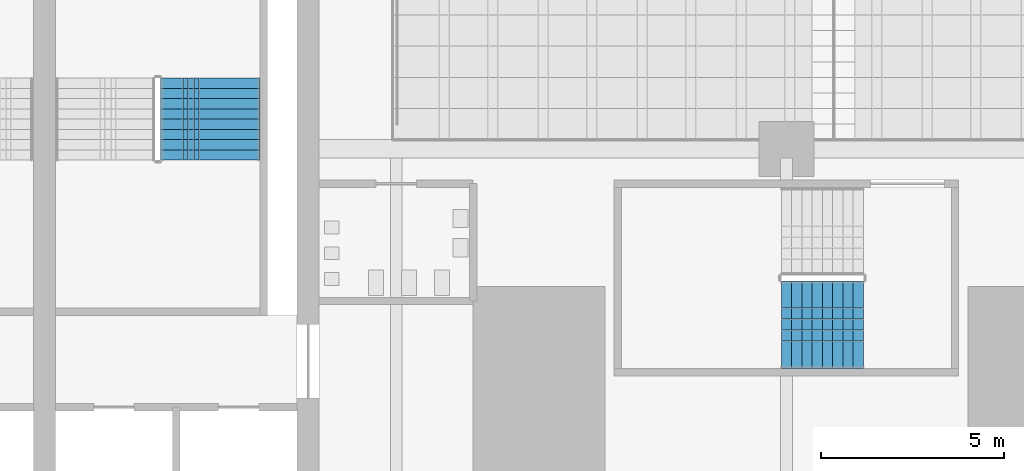
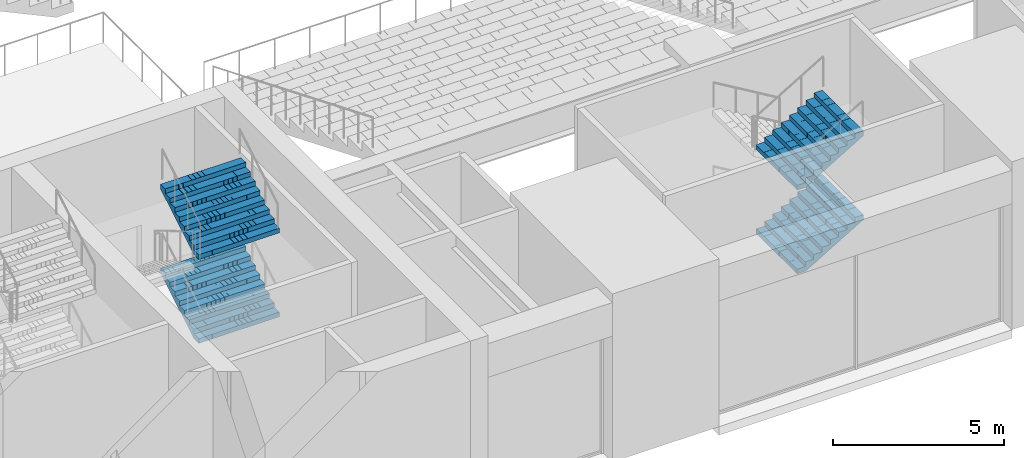
# One storey, part 36 of 61: 4 stair flights, 2 elements without a shape of their own.
"""IFC4 building model written with IfcOpenShell, lengths in metres."""

from ifc_helpers import new_model, si_unit, direction, frame, origin, place, context, subcontext, project, spatial, polyline, outline, extrude, material, type_object, element, aggregate, save


model = new_model("IFC4")

# Units and contexts
model_context = context("Model", 3, precision=1e-05, world=origin(), true_north=direction((0.0, 1.0)))
body_context = subcontext(model_context, "Body", "Model", "MODEL_VIEW")
ifc_project = project(units=[si_unit("LENGTHUNIT", "METRE"), si_unit("AREAUNIT", "SQUARE_METRE"), si_unit("VOLUMEUNIT", "CUBIC_METRE"), si_unit("PLANEANGLEUNIT", "RADIAN"), si_unit("MASSUNIT", "GRAM", prefix="KILO")], contexts=[model_context])

# Site, building, storey
site_placement = place(None, origin())
site = spatial("IfcSite", under=ifc_project, at=site_placement, CompositionType="ELEMENT")
building_placement = place(site_placement, origin())
building = spatial("IfcBuilding", under=site, at=building_placement, Name="Corbelhall Arena Tower", CompositionType="ELEMENT")
storey_placement = place(building_placement, frame((0.0, 0.0, 31.0)))
storey = spatial("IfcBuildingStorey", under=building, at=storey_placement, Name="L04", CompositionType="ELEMENT", Elevation=31.0)

# Stair, stair flights
ifc_material = material(Name="Reinforced concrete C40/50", Category="concrete")
stair_type = type_object("IfcStairType", Name="AR-EXIT-STAIR", PredefinedType="HALF_TURN_STAIR", material=ifc_material)
stair_1_placement = place(storey_placement, origin())
stair_1 = element("IfcStair", 1, at=stair_1_placement, inside=storey, type_object=stair_type, Name="L04 exit stair AS13", PredefinedType="HALF_TURN_STAIR")
stair_flight_type = type_object("IfcStairFlightType", Name="AR-EXIT-FLIGHT", PredefinedType="STRAIGHT", material=ifc_material)
stair_flight_1_placement = place(storey_placement, frame((-20.389892578125, -34.050048828125, 1.5), z_axis=(0.0, 0.0, 1.0), x_axis=(1.0, 0.0, 0.0)))
stair_flight_1 = element("IfcStairFlight", 2, at=stair_flight_1_placement, type_object=stair_flight_type, Name="AS13 flight 2", NumberOfRisers=9, NumberOfTreads=8, PredefinedType="STRAIGHT", RiserHeight=0.166666667, TreadLength=0.28, context=body_context, shape_type="SweptSolid", body=[
    extrude(outline(polyline([(0.0, 0.0), (0.0, 0.166748046875), (0.280029296875, 0.166748046875), (0.280029296875, 0.333251953125), (0.56005859375, 0.333251953125), (0.56005859375, 0.5), (0.840087890625, 0.5), (0.840087890625, 0.666748046875), (1.1201171875, 0.666748046875), (1.1201171875, 0.833251953125), (1.39990234375, 0.833251953125), (1.39990234375, 1.0), (1.679931640625, 1.0), (1.679931640625, 1.166748046875), (1.9599609375, 1.166748046875), (1.9599609375, 1.333251953125), (2.239990234375, 1.333251953125), (2.239990234375, 1.5), (2.239990234375, 1.158935546875), (0.29296875, 0.0), (0.0, 0.0)])), frame((0.0, 1.199951171875, 0.0), z_axis=(0.0, -1.0, 0.0), x_axis=(1.0, 0.0, 0.0)), (0.0, 0.0, 1.0), 0.449951171875),
    extrude(outline(polyline([(0.0, 0.0), (0.0, 0.166748046875), (0.280029296875, 0.166748046875), (0.280029296875, 0.333251953125), (0.56005859375, 0.333251953125), (0.56005859375, 0.5), (0.840087890625, 0.5), (0.840087890625, 0.666748046875), (1.1201171875, 0.666748046875), (1.1201171875, 0.833251953125), (1.39990234375, 0.833251953125), (1.39990234375, 1.0), (1.679931640625, 1.0), (1.679931640625, 1.166748046875), (1.9599609375, 1.166748046875), (1.9599609375, 1.333251953125), (2.239990234375, 1.333251953125), (2.239990234375, 1.5), (2.239990234375, 1.158935546875), (0.29296875, 0.0), (0.0, 0.0)])), frame((0.0, 0.745849609375, 0.0), z_axis=(0.0, -1.0, 0.0), x_axis=(1.0, 0.0, 0.0)), (0.0, 0.0, 1.0), 0.295166015625),
    extrude(outline(polyline([(0.0, 0.0), (0.0, 0.166748046875), (0.280029296875, 0.166748046875), (0.280029296875, 0.333251953125), (0.56005859375, 0.333251953125), (0.56005859375, 0.5), (0.840087890625, 0.5), (0.840087890625, 0.666748046875), (1.1201171875, 0.666748046875), (1.1201171875, 0.833251953125), (1.39990234375, 0.833251953125), (1.39990234375, 1.0), (1.679931640625, 1.0), (1.679931640625, 1.166748046875), (1.9599609375, 1.166748046875), (1.9599609375, 1.333251953125), (2.239990234375, 1.333251953125), (2.239990234375, 1.5), (2.239990234375, 1.158935546875), (0.29296875, 0.0), (0.0, 0.0)])), frame((0.0, 0.44677734375, 0.0), z_axis=(0.0, -1.0, 0.0), x_axis=(1.0, 0.0, 0.0)), (0.0, 0.0, 1.0), 0.295166015625),
    extrude(outline(polyline([(0.0, 0.0), (0.0, 0.166748046875), (0.280029296875, 0.166748046875), (0.280029296875, 0.333251953125), (0.56005859375, 0.333251953125), (0.56005859375, 0.5), (0.840087890625, 0.5), (0.840087890625, 0.666748046875), (1.1201171875, 0.666748046875), (1.1201171875, 0.833251953125), (1.39990234375, 0.833251953125), (1.39990234375, 1.0), (1.679931640625, 1.0), (1.679931640625, 1.166748046875), (1.9599609375, 1.166748046875), (1.9599609375, 1.333251953125), (2.239990234375, 1.333251953125), (2.239990234375, 1.5), (2.239990234375, 1.158935546875), (0.29296875, 0.0), (0.0, 0.0)])), frame((0.0, 0.147705078125, 0.0), z_axis=(0.0, -1.0, 0.0), x_axis=(1.0, 0.0, 0.0)), (0.0, 0.0, 1.0), 0.295166015625),
    extrude(outline(polyline([(0.0, 0.0), (0.0, 0.166748046875), (0.280029296875, 0.166748046875), (0.280029296875, 0.333251953125), (0.56005859375, 0.333251953125), (0.56005859375, 0.5), (0.840087890625, 0.5), (0.840087890625, 0.666748046875), (1.1201171875, 0.666748046875), (1.1201171875, 0.833251953125), (1.39990234375, 0.833251953125), (1.39990234375, 1.0), (1.679931640625, 1.0), (1.679931640625, 1.166748046875), (1.9599609375, 1.166748046875), (1.9599609375, 1.333251953125), (2.239990234375, 1.333251953125), (2.239990234375, 1.5), (2.239990234375, 1.158935546875), (0.29296875, 0.0), (0.0, 0.0)])), frame((0.0, -0.151611328125, 0.0), z_axis=(0.0, -1.0, 0.0), x_axis=(1.0, 0.0, 0.0)), (0.0, 0.0, 1.0), 0.295166015625),
    extrude(outline(polyline([(0.0, 0.0), (0.0, 0.166748046875), (0.280029296875, 0.166748046875), (0.280029296875, 0.333251953125), (0.56005859375, 0.333251953125), (0.56005859375, 0.5), (0.840087890625, 0.5), (0.840087890625, 0.666748046875), (1.1201171875, 0.666748046875), (1.1201171875, 0.833251953125), (1.39990234375, 0.833251953125), (1.39990234375, 1.0), (1.679931640625, 1.0), (1.679931640625, 1.166748046875), (1.9599609375, 1.166748046875), (1.9599609375, 1.333251953125), (2.239990234375, 1.333251953125), (2.239990234375, 1.5), (2.239990234375, 1.158935546875), (0.29296875, 0.0), (0.0, 0.0)])), frame((0.0, -0.45068359375, 0.0), z_axis=(0.0, -1.0, 0.0), x_axis=(1.0, 0.0, 0.0)), (0.0, 0.0, 1.0), 0.295166015625),
    extrude(outline(polyline([(0.0, 0.0), (0.0, 0.166748046875), (0.280029296875, 0.166748046875), (0.280029296875, 0.333251953125), (0.56005859375, 0.333251953125), (0.56005859375, 0.5), (0.840087890625, 0.5), (0.840087890625, 0.666748046875), (1.1201171875, 0.666748046875), (1.1201171875, 0.833251953125), (1.39990234375, 0.833251953125), (1.39990234375, 1.0), (1.679931640625, 1.0), (1.679931640625, 1.166748046875), (1.9599609375, 1.166748046875), (1.9599609375, 1.333251953125), (2.239990234375, 1.333251953125), (2.239990234375, 1.5), (2.239990234375, 1.158935546875), (0.29296875, 0.0), (0.0, 0.0)])), frame((0.0, -0.75, 0.0), z_axis=(0.0, -1.0, 0.0), x_axis=(1.0, 0.0, 0.0)), (0.0, 0.0, 1.0), 0.449951171875),
])
stair_flight_2_placement = place(storey_placement, frame((-20.389892578125, -34.050048828125, 4.5), z_axis=(0.0, 0.0, 1.0), x_axis=(1.0, 0.0, 0.0)))
stair_flight_2 = element("IfcStairFlight", 3, at=stair_flight_2_placement, type_object=stair_flight_type, Name="AS13 flight 4", NumberOfRisers=9, NumberOfTreads=8, PredefinedType="STRAIGHT", RiserHeight=0.166666667, TreadLength=0.28, context=body_context, shape_type="SweptSolid", body=[
    extrude(outline(polyline([(0.0, 0.0), (0.0, 0.166748046875), (0.280029296875, 0.166748046875), (0.280029296875, 0.333251953125), (0.56005859375, 0.333251953125), (0.56005859375, 0.5), (0.840087890625, 0.5), (0.840087890625, 0.666748046875), (1.1201171875, 0.666748046875), (1.1201171875, 0.833251953125), (1.39990234375, 0.833251953125), (1.39990234375, 1.0), (1.679931640625, 1.0), (1.679931640625, 1.166748046875), (1.9599609375, 1.166748046875), (1.9599609375, 1.333251953125), (2.239990234375, 1.333251953125), (2.239990234375, 1.5), (2.239990234375, 1.158935546875), (0.29296875, 0.0), (0.0, 0.0)])), frame((0.0, 1.199951171875, 0.0), z_axis=(0.0, -1.0, 0.0), x_axis=(1.0, 0.0, 0.0)), (0.0, 0.0, 1.0), 0.449951171875),
    extrude(outline(polyline([(0.0, 0.0), (0.0, 0.166748046875), (0.280029296875, 0.166748046875), (0.280029296875, 0.333251953125), (0.56005859375, 0.333251953125), (0.56005859375, 0.5), (0.840087890625, 0.5), (0.840087890625, 0.666748046875), (1.1201171875, 0.666748046875), (1.1201171875, 0.833251953125), (1.39990234375, 0.833251953125), (1.39990234375, 1.0), (1.679931640625, 1.0), (1.679931640625, 1.166748046875), (1.9599609375, 1.166748046875), (1.9599609375, 1.333251953125), (2.239990234375, 1.333251953125), (2.239990234375, 1.5), (2.239990234375, 1.158935546875), (0.29296875, 0.0), (0.0, 0.0)])), frame((0.0, 0.745849609375, 0.0), z_axis=(0.0, -1.0, 0.0), x_axis=(1.0, 0.0, 0.0)), (0.0, 0.0, 1.0), 0.295166015625),
    extrude(outline(polyline([(0.0, 0.0), (0.0, 0.166748046875), (0.280029296875, 0.166748046875), (0.280029296875, 0.333251953125), (0.56005859375, 0.333251953125), (0.56005859375, 0.5), (0.840087890625, 0.5), (0.840087890625, 0.666748046875), (1.1201171875, 0.666748046875), (1.1201171875, 0.833251953125), (1.39990234375, 0.833251953125), (1.39990234375, 1.0), (1.679931640625, 1.0), (1.679931640625, 1.166748046875), (1.9599609375, 1.166748046875), (1.9599609375, 1.333251953125), (2.239990234375, 1.333251953125), (2.239990234375, 1.5), (2.239990234375, 1.158935546875), (0.29296875, 0.0), (0.0, 0.0)])), frame((0.0, 0.44677734375, 0.0), z_axis=(0.0, -1.0, 0.0), x_axis=(1.0, 0.0, 0.0)), (0.0, 0.0, 1.0), 0.295166015625),
    extrude(outline(polyline([(0.0, 0.0), (0.0, 0.166748046875), (0.280029296875, 0.166748046875), (0.280029296875, 0.333251953125), (0.56005859375, 0.333251953125), (0.56005859375, 0.5), (0.840087890625, 0.5), (0.840087890625, 0.666748046875), (1.1201171875, 0.666748046875), (1.1201171875, 0.833251953125), (1.39990234375, 0.833251953125), (1.39990234375, 1.0), (1.679931640625, 1.0), (1.679931640625, 1.166748046875), (1.9599609375, 1.166748046875), (1.9599609375, 1.333251953125), (2.239990234375, 1.333251953125), (2.239990234375, 1.5), (2.239990234375, 1.158935546875), (0.29296875, 0.0), (0.0, 0.0)])), frame((0.0, 0.147705078125, 0.0), z_axis=(0.0, -1.0, 0.0), x_axis=(1.0, 0.0, 0.0)), (0.0, 0.0, 1.0), 0.295166015625),
    extrude(outline(polyline([(0.0, 0.0), (0.0, 0.166748046875), (0.280029296875, 0.166748046875), (0.280029296875, 0.333251953125), (0.56005859375, 0.333251953125), (0.56005859375, 0.5), (0.840087890625, 0.5), (0.840087890625, 0.666748046875), (1.1201171875, 0.666748046875), (1.1201171875, 0.833251953125), (1.39990234375, 0.833251953125), (1.39990234375, 1.0), (1.679931640625, 1.0), (1.679931640625, 1.166748046875), (1.9599609375, 1.166748046875), (1.9599609375, 1.333251953125), (2.239990234375, 1.333251953125), (2.239990234375, 1.5), (2.239990234375, 1.158935546875), (0.29296875, 0.0), (0.0, 0.0)])), frame((0.0, -0.151611328125, 0.0), z_axis=(0.0, -1.0, 0.0), x_axis=(1.0, 0.0, 0.0)), (0.0, 0.0, 1.0), 0.295166015625),
    extrude(outline(polyline([(0.0, 0.0), (0.0, 0.166748046875), (0.280029296875, 0.166748046875), (0.280029296875, 0.333251953125), (0.56005859375, 0.333251953125), (0.56005859375, 0.5), (0.840087890625, 0.5), (0.840087890625, 0.666748046875), (1.1201171875, 0.666748046875), (1.1201171875, 0.833251953125), (1.39990234375, 0.833251953125), (1.39990234375, 1.0), (1.679931640625, 1.0), (1.679931640625, 1.166748046875), (1.9599609375, 1.166748046875), (1.9599609375, 1.333251953125), (2.239990234375, 1.333251953125), (2.239990234375, 1.5), (2.239990234375, 1.158935546875), (0.29296875, 0.0), (0.0, 0.0)])), frame((0.0, -0.45068359375, 0.0), z_axis=(0.0, -1.0, 0.0), x_axis=(1.0, 0.0, 0.0)), (0.0, 0.0, 1.0), 0.295166015625),
    extrude(outline(polyline([(0.0, 0.0), (0.0, 0.166748046875), (0.280029296875, 0.166748046875), (0.280029296875, 0.333251953125), (0.56005859375, 0.333251953125), (0.56005859375, 0.5), (0.840087890625, 0.5), (0.840087890625, 0.666748046875), (1.1201171875, 0.666748046875), (1.1201171875, 0.833251953125), (1.39990234375, 0.833251953125), (1.39990234375, 1.0), (1.679931640625, 1.0), (1.679931640625, 1.166748046875), (1.9599609375, 1.166748046875), (1.9599609375, 1.333251953125), (2.239990234375, 1.333251953125), (2.239990234375, 1.5), (2.239990234375, 1.158935546875), (0.29296875, 0.0), (0.0, 0.0)])), frame((0.0, -0.75, 0.0), z_axis=(0.0, -1.0, 0.0), x_axis=(1.0, 0.0, 0.0)), (0.0, 0.0, 1.0), 0.449951171875),
])
aggregate(stair_1, [stair_flight_1, stair_flight_2])

stair_2_placement = place(storey_placement, origin())
stair_2 = element("IfcStair", 4, at=stair_2_placement, inside=storey, type_object=stair_type, Name="L04 exit stair AS7", PredefinedType="HALF_TURN_STAIR")
stair_flight_3_placement = place(storey_placement, frame((-35.969970703125, -29.56005859375, 1.5), z_axis=(0.0, 0.0, 1.0), x_axis=(0.0, 1.0, 0.0)))
stair_flight_3 = element("IfcStairFlight", 5, at=stair_flight_3_placement, type_object=stair_flight_type, Name="AS7 flight 2", NumberOfRisers=9, NumberOfTreads=8, PredefinedType="STRAIGHT", RiserHeight=0.166666667, TreadLength=0.28, context=body_context, shape_type="SweptSolid", body=[
    extrude(outline(polyline([(0.0, 0.0), (0.0, 0.166748046875), (0.280029296875, 0.166748046875), (0.280029296875, 0.333251953125), (0.56005859375, 0.333251953125), (0.56005859375, 0.5), (0.840087890625, 0.5), (0.840087890625, 0.666748046875), (1.1201171875, 0.666748046875), (1.1201171875, 0.833251953125), (1.39990234375, 0.833251953125), (1.39990234375, 1.0), (1.679931640625, 1.0), (1.679931640625, 1.166748046875), (1.9599609375, 1.166748046875), (1.9599609375, 1.333251953125), (2.239990234375, 1.333251953125), (2.239990234375, 1.5), (2.239990234375, 1.158935546875), (0.29296875, 0.0), (0.0, 0.0)])), frame((0.0, 1.35986328125, 0.0), z_axis=(0.0, -1.0, 0.0), x_axis=(1.0, 0.0, 0.0)), (0.0, 0.0, 1.0), 0.449951171875),
    extrude(outline(polyline([(0.0, 0.0), (0.0, 0.166748046875), (0.280029296875, 0.166748046875), (0.280029296875, 0.333251953125), (0.56005859375, 0.333251953125), (0.56005859375, 0.5), (0.840087890625, 0.5), (0.840087890625, 0.666748046875), (1.1201171875, 0.666748046875), (1.1201171875, 0.833251953125), (1.39990234375, 0.833251953125), (1.39990234375, 1.0), (1.679931640625, 1.0), (1.679931640625, 1.166748046875), (1.9599609375, 1.166748046875), (1.9599609375, 1.333251953125), (2.239990234375, 1.333251953125), (2.239990234375, 1.5), (2.239990234375, 1.158935546875), (0.29296875, 0.0), (0.0, 0.0)])), frame((0.0, 0.906005859375, 0.0), z_axis=(0.0, -1.0, 0.0), x_axis=(1.0, 0.0, 0.0)), (0.0, 0.0, 1.0), 0.147216796875),
    extrude(outline(polyline([(0.0, 0.0), (0.0, 0.166748046875), (0.280029296875, 0.166748046875), (0.280029296875, 0.333251953125), (0.56005859375, 0.333251953125), (0.56005859375, 0.5), (0.840087890625, 0.5), (0.840087890625, 0.666748046875), (1.1201171875, 0.666748046875), (1.1201171875, 0.833251953125), (1.39990234375, 0.833251953125), (1.39990234375, 1.0), (1.679931640625, 1.0), (1.679931640625, 1.166748046875), (1.9599609375, 1.166748046875), (1.9599609375, 1.333251953125), (2.239990234375, 1.333251953125), (2.239990234375, 1.5), (2.239990234375, 1.158935546875), (0.29296875, 0.0), (0.0, 0.0)])), frame((0.0, 0.754638671875, 0.0), z_axis=(0.0, -1.0, 0.0), x_axis=(1.0, 0.0, 0.0)), (0.0, 0.0, 1.0), 0.147216796875),
    extrude(outline(polyline([(0.0, 0.0), (0.0, 0.166748046875), (0.280029296875, 0.166748046875), (0.280029296875, 0.333251953125), (0.56005859375, 0.333251953125), (0.56005859375, 0.5), (0.840087890625, 0.5), (0.840087890625, 0.666748046875), (1.1201171875, 0.666748046875), (1.1201171875, 0.833251953125), (1.39990234375, 0.833251953125), (1.39990234375, 1.0), (1.679931640625, 1.0), (1.679931640625, 1.166748046875), (1.9599609375, 1.166748046875), (1.9599609375, 1.333251953125), (2.239990234375, 1.333251953125), (2.239990234375, 1.5), (2.239990234375, 1.158935546875), (0.29296875, 0.0), (0.0, 0.0)])), frame((0.0, 0.603271484375, 0.0), z_axis=(0.0, -1.0, 0.0), x_axis=(1.0, 0.0, 0.0)), (0.0, 0.0, 1.0), 0.147216796875),
    extrude(outline(polyline([(0.0, 0.0), (0.0, 0.166748046875), (0.280029296875, 0.166748046875), (0.280029296875, 0.333251953125), (0.56005859375, 0.333251953125), (0.56005859375, 0.5), (0.840087890625, 0.5), (0.840087890625, 0.666748046875), (1.1201171875, 0.666748046875), (1.1201171875, 0.833251953125), (1.39990234375, 0.833251953125), (1.39990234375, 1.0), (1.679931640625, 1.0), (1.679931640625, 1.166748046875), (1.9599609375, 1.166748046875), (1.9599609375, 1.333251953125), (2.239990234375, 1.333251953125), (2.239990234375, 1.5), (2.239990234375, 1.158935546875), (0.29296875, 0.0), (0.0, 0.0)])), frame((0.0, 0.451904296875, 0.0), z_axis=(0.0, -1.0, 0.0), x_axis=(1.0, 0.0, 0.0)), (0.0, 0.0, 1.0), 0.147216796875),
    extrude(outline(polyline([(0.0, 0.0), (0.0, 0.166748046875), (0.280029296875, 0.166748046875), (0.280029296875, 0.333251953125), (0.56005859375, 0.333251953125), (0.56005859375, 0.5), (0.840087890625, 0.5), (0.840087890625, 0.666748046875), (1.1201171875, 0.666748046875), (1.1201171875, 0.833251953125), (1.39990234375, 0.833251953125), (1.39990234375, 1.0), (1.679931640625, 1.0), (1.679931640625, 1.166748046875), (1.9599609375, 1.166748046875), (1.9599609375, 1.333251953125), (2.239990234375, 1.333251953125), (2.239990234375, 1.5), (2.239990234375, 1.158935546875), (0.29296875, 0.0), (0.0, 0.0)])), frame((0.0, 0.30078125, 0.0), z_axis=(0.0, -1.0, 0.0), x_axis=(1.0, 0.0, 0.0)), (0.0, 0.0, 1.0), 0.147216796875),
    extrude(outline(polyline([(0.0, 0.0), (0.0, 0.166748046875), (0.280029296875, 0.166748046875), (0.280029296875, 0.333251953125), (0.56005859375, 0.333251953125), (0.56005859375, 0.5), (0.840087890625, 0.5), (0.840087890625, 0.666748046875), (1.1201171875, 0.666748046875), (1.1201171875, 0.833251953125), (1.39990234375, 0.833251953125), (1.39990234375, 1.0), (1.679931640625, 1.0), (1.679931640625, 1.166748046875), (1.9599609375, 1.166748046875), (1.9599609375, 1.333251953125), (2.239990234375, 1.333251953125), (2.239990234375, 1.5), (2.239990234375, 1.158935546875), (0.29296875, 0.0), (0.0, 0.0)])), frame((0.0, 0.1494140625, 0.0), z_axis=(0.0, -1.0, 0.0), x_axis=(1.0, 0.0, 0.0)), (0.0, 0.0, 1.0), 0.147216796875),
    extrude(outline(polyline([(0.0, 0.0), (0.0, 0.166748046875), (0.280029296875, 0.166748046875), (0.280029296875, 0.333251953125), (0.56005859375, 0.333251953125), (0.56005859375, 0.5), (0.840087890625, 0.5), (0.840087890625, 0.666748046875), (1.1201171875, 0.666748046875), (1.1201171875, 0.833251953125), (1.39990234375, 0.833251953125), (1.39990234375, 1.0), (1.679931640625, 1.0), (1.679931640625, 1.166748046875), (1.9599609375, 1.166748046875), (1.9599609375, 1.333251953125), (2.239990234375, 1.333251953125), (2.239990234375, 1.5), (2.239990234375, 1.158935546875), (0.29296875, 0.0), (0.0, 0.0)])), frame((0.0, -0.001953125, 0.0), z_axis=(0.0, -1.0, 0.0), x_axis=(1.0, 0.0, 0.0)), (0.0, 0.0, 1.0), 0.147216796875),
    extrude(outline(polyline([(0.0, 0.0), (0.0, 0.166748046875), (0.280029296875, 0.166748046875), (0.280029296875, 0.333251953125), (0.56005859375, 0.333251953125), (0.56005859375, 0.5), (0.840087890625, 0.5), (0.840087890625, 0.666748046875), (1.1201171875, 0.666748046875), (1.1201171875, 0.833251953125), (1.39990234375, 0.833251953125), (1.39990234375, 1.0), (1.679931640625, 1.0), (1.679931640625, 1.166748046875), (1.9599609375, 1.166748046875), (1.9599609375, 1.333251953125), (2.239990234375, 1.333251953125), (2.239990234375, 1.5), (2.239990234375, 1.158935546875), (0.29296875, 0.0), (0.0, 0.0)])), frame((0.0, -0.1533203125, 0.0), z_axis=(0.0, -1.0, 0.0), x_axis=(1.0, 0.0, 0.0)), (0.0, 0.0, 1.0), 0.147216796875),
    extrude(outline(polyline([(0.0, 0.0), (0.0, 0.166748046875), (0.280029296875, 0.166748046875), (0.280029296875, 0.333251953125), (0.56005859375, 0.333251953125), (0.56005859375, 0.5), (0.840087890625, 0.5), (0.840087890625, 0.666748046875), (1.1201171875, 0.666748046875), (1.1201171875, 0.833251953125), (1.39990234375, 0.833251953125), (1.39990234375, 1.0), (1.679931640625, 1.0), (1.679931640625, 1.166748046875), (1.9599609375, 1.166748046875), (1.9599609375, 1.333251953125), (2.239990234375, 1.333251953125), (2.239990234375, 1.5), (2.239990234375, 1.158935546875), (0.29296875, 0.0), (0.0, 0.0)])), frame((0.0, -0.3046875, 0.0), z_axis=(0.0, -1.0, 0.0), x_axis=(1.0, 0.0, 0.0)), (0.0, 0.0, 1.0), 0.147216796875),
    extrude(outline(polyline([(0.0, 0.0), (0.0, 0.166748046875), (0.280029296875, 0.166748046875), (0.280029296875, 0.333251953125), (0.56005859375, 0.333251953125), (0.56005859375, 0.5), (0.840087890625, 0.5), (0.840087890625, 0.666748046875), (1.1201171875, 0.666748046875), (1.1201171875, 0.833251953125), (1.39990234375, 0.833251953125), (1.39990234375, 1.0), (1.679931640625, 1.0), (1.679931640625, 1.166748046875), (1.9599609375, 1.166748046875), (1.9599609375, 1.333251953125), (2.239990234375, 1.333251953125), (2.239990234375, 1.5), (2.239990234375, 1.158935546875), (0.29296875, 0.0), (0.0, 0.0)])), frame((0.0, -0.4560546875, 0.0), z_axis=(0.0, -1.0, 0.0), x_axis=(1.0, 0.0, 0.0)), (0.0, 0.0, 1.0), 0.147216796875),
    extrude(outline(polyline([(0.0, 0.0), (0.0, 0.166748046875), (0.280029296875, 0.166748046875), (0.280029296875, 0.333251953125), (0.56005859375, 0.333251953125), (0.56005859375, 0.5), (0.840087890625, 0.5), (0.840087890625, 0.666748046875), (1.1201171875, 0.666748046875), (1.1201171875, 0.833251953125), (1.39990234375, 0.833251953125), (1.39990234375, 1.0), (1.679931640625, 1.0), (1.679931640625, 1.166748046875), (1.9599609375, 1.166748046875), (1.9599609375, 1.333251953125), (2.239990234375, 1.333251953125), (2.239990234375, 1.5), (2.239990234375, 1.158935546875), (0.29296875, 0.0), (0.0, 0.0)])), frame((0.0, -0.607421875, 0.0), z_axis=(0.0, -1.0, 0.0), x_axis=(1.0, 0.0, 0.0)), (0.0, 0.0, 1.0), 0.147216796875),
    extrude(outline(polyline([(0.0, 0.0), (0.0, 0.166748046875), (0.280029296875, 0.166748046875), (0.280029296875, 0.333251953125), (0.56005859375, 0.333251953125), (0.56005859375, 0.5), (0.840087890625, 0.5), (0.840087890625, 0.666748046875), (1.1201171875, 0.666748046875), (1.1201171875, 0.833251953125), (1.39990234375, 0.833251953125), (1.39990234375, 1.0), (1.679931640625, 1.0), (1.679931640625, 1.166748046875), (1.9599609375, 1.166748046875), (1.9599609375, 1.333251953125), (2.239990234375, 1.333251953125), (2.239990234375, 1.5), (2.239990234375, 1.158935546875), (0.29296875, 0.0), (0.0, 0.0)])), frame((0.0, -0.758544921875, 0.0), z_axis=(0.0, -1.0, 0.0), x_axis=(1.0, 0.0, 0.0)), (0.0, 0.0, 1.0), 0.147216796875),
    extrude(outline(polyline([(0.0, 0.0), (0.0, 0.166748046875), (0.280029296875, 0.166748046875), (0.280029296875, 0.333251953125), (0.56005859375, 0.333251953125), (0.56005859375, 0.5), (0.840087890625, 0.5), (0.840087890625, 0.666748046875), (1.1201171875, 0.666748046875), (1.1201171875, 0.833251953125), (1.39990234375, 0.833251953125), (1.39990234375, 1.0), (1.679931640625, 1.0), (1.679931640625, 1.166748046875), (1.9599609375, 1.166748046875), (1.9599609375, 1.333251953125), (2.239990234375, 1.333251953125), (2.239990234375, 1.5), (2.239990234375, 1.158935546875), (0.29296875, 0.0), (0.0, 0.0)])), frame((0.0, -0.909912109375, 0.0), z_axis=(0.0, -1.0, 0.0), x_axis=(1.0, 0.0, 0.0)), (0.0, 0.0, 1.0), 0.449951171875),
])
stair_flight_4_placement = place(storey_placement, frame((-35.969970703125, -29.56005859375, 4.5), z_axis=(0.0, 0.0, 1.0), x_axis=(0.0, 1.0, 0.0)))
stair_flight_4 = element("IfcStairFlight", 6, at=stair_flight_4_placement, type_object=stair_flight_type, Name="AS7 flight 4", NumberOfRisers=9, NumberOfTreads=8, PredefinedType="STRAIGHT", RiserHeight=0.166666667, TreadLength=0.28, context=body_context, shape_type="SweptSolid", body=[
    extrude(outline(polyline([(0.0, 0.0), (0.0, 0.166748046875), (0.280029296875, 0.166748046875), (0.280029296875, 0.333251953125), (0.56005859375, 0.333251953125), (0.56005859375, 0.5), (0.840087890625, 0.5), (0.840087890625, 0.666748046875), (1.1201171875, 0.666748046875), (1.1201171875, 0.833251953125), (1.39990234375, 0.833251953125), (1.39990234375, 1.0), (1.679931640625, 1.0), (1.679931640625, 1.166748046875), (1.9599609375, 1.166748046875), (1.9599609375, 1.333251953125), (2.239990234375, 1.333251953125), (2.239990234375, 1.5), (2.239990234375, 1.158935546875), (0.29296875, 0.0), (0.0, 0.0)])), frame((0.0, 1.35986328125, 0.0), z_axis=(0.0, -1.0, 0.0), x_axis=(1.0, 0.0, 0.0)), (0.0, 0.0, 1.0), 0.449951171875),
    extrude(outline(polyline([(0.0, 0.0), (0.0, 0.166748046875), (0.280029296875, 0.166748046875), (0.280029296875, 0.333251953125), (0.56005859375, 0.333251953125), (0.56005859375, 0.5), (0.840087890625, 0.5), (0.840087890625, 0.666748046875), (1.1201171875, 0.666748046875), (1.1201171875, 0.833251953125), (1.39990234375, 0.833251953125), (1.39990234375, 1.0), (1.679931640625, 1.0), (1.679931640625, 1.166748046875), (1.9599609375, 1.166748046875), (1.9599609375, 1.333251953125), (2.239990234375, 1.333251953125), (2.239990234375, 1.5), (2.239990234375, 1.158935546875), (0.29296875, 0.0), (0.0, 0.0)])), frame((0.0, 0.906005859375, 0.0), z_axis=(0.0, -1.0, 0.0), x_axis=(1.0, 0.0, 0.0)), (0.0, 0.0, 1.0), 0.147216796875),
    extrude(outline(polyline([(0.0, 0.0), (0.0, 0.166748046875), (0.280029296875, 0.166748046875), (0.280029296875, 0.333251953125), (0.56005859375, 0.333251953125), (0.56005859375, 0.5), (0.840087890625, 0.5), (0.840087890625, 0.666748046875), (1.1201171875, 0.666748046875), (1.1201171875, 0.833251953125), (1.39990234375, 0.833251953125), (1.39990234375, 1.0), (1.679931640625, 1.0), (1.679931640625, 1.166748046875), (1.9599609375, 1.166748046875), (1.9599609375, 1.333251953125), (2.239990234375, 1.333251953125), (2.239990234375, 1.5), (2.239990234375, 1.158935546875), (0.29296875, 0.0), (0.0, 0.0)])), frame((0.0, 0.754638671875, 0.0), z_axis=(0.0, -1.0, 0.0), x_axis=(1.0, 0.0, 0.0)), (0.0, 0.0, 1.0), 0.147216796875),
    extrude(outline(polyline([(0.0, 0.0), (0.0, 0.166748046875), (0.280029296875, 0.166748046875), (0.280029296875, 0.333251953125), (0.56005859375, 0.333251953125), (0.56005859375, 0.5), (0.840087890625, 0.5), (0.840087890625, 0.666748046875), (1.1201171875, 0.666748046875), (1.1201171875, 0.833251953125), (1.39990234375, 0.833251953125), (1.39990234375, 1.0), (1.679931640625, 1.0), (1.679931640625, 1.166748046875), (1.9599609375, 1.166748046875), (1.9599609375, 1.333251953125), (2.239990234375, 1.333251953125), (2.239990234375, 1.5), (2.239990234375, 1.158935546875), (0.29296875, 0.0), (0.0, 0.0)])), frame((0.0, 0.603271484375, 0.0), z_axis=(0.0, -1.0, 0.0), x_axis=(1.0, 0.0, 0.0)), (0.0, 0.0, 1.0), 0.147216796875),
    extrude(outline(polyline([(0.0, 0.0), (0.0, 0.166748046875), (0.280029296875, 0.166748046875), (0.280029296875, 0.333251953125), (0.56005859375, 0.333251953125), (0.56005859375, 0.5), (0.840087890625, 0.5), (0.840087890625, 0.666748046875), (1.1201171875, 0.666748046875), (1.1201171875, 0.833251953125), (1.39990234375, 0.833251953125), (1.39990234375, 1.0), (1.679931640625, 1.0), (1.679931640625, 1.166748046875), (1.9599609375, 1.166748046875), (1.9599609375, 1.333251953125), (2.239990234375, 1.333251953125), (2.239990234375, 1.5), (2.239990234375, 1.158935546875), (0.29296875, 0.0), (0.0, 0.0)])), frame((0.0, 0.451904296875, 0.0), z_axis=(0.0, -1.0, 0.0), x_axis=(1.0, 0.0, 0.0)), (0.0, 0.0, 1.0), 0.147216796875),
    extrude(outline(polyline([(0.0, 0.0), (0.0, 0.166748046875), (0.280029296875, 0.166748046875), (0.280029296875, 0.333251953125), (0.56005859375, 0.333251953125), (0.56005859375, 0.5), (0.840087890625, 0.5), (0.840087890625, 0.666748046875), (1.1201171875, 0.666748046875), (1.1201171875, 0.833251953125), (1.39990234375, 0.833251953125), (1.39990234375, 1.0), (1.679931640625, 1.0), (1.679931640625, 1.166748046875), (1.9599609375, 1.166748046875), (1.9599609375, 1.333251953125), (2.239990234375, 1.333251953125), (2.239990234375, 1.5), (2.239990234375, 1.158935546875), (0.29296875, 0.0), (0.0, 0.0)])), frame((0.0, 0.30078125, 0.0), z_axis=(0.0, -1.0, 0.0), x_axis=(1.0, 0.0, 0.0)), (0.0, 0.0, 1.0), 0.147216796875),
    extrude(outline(polyline([(0.0, 0.0), (0.0, 0.166748046875), (0.280029296875, 0.166748046875), (0.280029296875, 0.333251953125), (0.56005859375, 0.333251953125), (0.56005859375, 0.5), (0.840087890625, 0.5), (0.840087890625, 0.666748046875), (1.1201171875, 0.666748046875), (1.1201171875, 0.833251953125), (1.39990234375, 0.833251953125), (1.39990234375, 1.0), (1.679931640625, 1.0), (1.679931640625, 1.166748046875), (1.9599609375, 1.166748046875), (1.9599609375, 1.333251953125), (2.239990234375, 1.333251953125), (2.239990234375, 1.5), (2.239990234375, 1.158935546875), (0.29296875, 0.0), (0.0, 0.0)])), frame((0.0, 0.1494140625, 0.0), z_axis=(0.0, -1.0, 0.0), x_axis=(1.0, 0.0, 0.0)), (0.0, 0.0, 1.0), 0.147216796875),
    extrude(outline(polyline([(0.0, 0.0), (0.0, 0.166748046875), (0.280029296875, 0.166748046875), (0.280029296875, 0.333251953125), (0.56005859375, 0.333251953125), (0.56005859375, 0.5), (0.840087890625, 0.5), (0.840087890625, 0.666748046875), (1.1201171875, 0.666748046875), (1.1201171875, 0.833251953125), (1.39990234375, 0.833251953125), (1.39990234375, 1.0), (1.679931640625, 1.0), (1.679931640625, 1.166748046875), (1.9599609375, 1.166748046875), (1.9599609375, 1.333251953125), (2.239990234375, 1.333251953125), (2.239990234375, 1.5), (2.239990234375, 1.158935546875), (0.29296875, 0.0), (0.0, 0.0)])), frame((0.0, -0.001953125, 0.0), z_axis=(0.0, -1.0, 0.0), x_axis=(1.0, 0.0, 0.0)), (0.0, 0.0, 1.0), 0.147216796875),
    extrude(outline(polyline([(0.0, 0.0), (0.0, 0.166748046875), (0.280029296875, 0.166748046875), (0.280029296875, 0.333251953125), (0.56005859375, 0.333251953125), (0.56005859375, 0.5), (0.840087890625, 0.5), (0.840087890625, 0.666748046875), (1.1201171875, 0.666748046875), (1.1201171875, 0.833251953125), (1.39990234375, 0.833251953125), (1.39990234375, 1.0), (1.679931640625, 1.0), (1.679931640625, 1.166748046875), (1.9599609375, 1.166748046875), (1.9599609375, 1.333251953125), (2.239990234375, 1.333251953125), (2.239990234375, 1.5), (2.239990234375, 1.158935546875), (0.29296875, 0.0), (0.0, 0.0)])), frame((0.0, -0.1533203125, 0.0), z_axis=(0.0, -1.0, 0.0), x_axis=(1.0, 0.0, 0.0)), (0.0, 0.0, 1.0), 0.147216796875),
    extrude(outline(polyline([(0.0, 0.0), (0.0, 0.166748046875), (0.280029296875, 0.166748046875), (0.280029296875, 0.333251953125), (0.56005859375, 0.333251953125), (0.56005859375, 0.5), (0.840087890625, 0.5), (0.840087890625, 0.666748046875), (1.1201171875, 0.666748046875), (1.1201171875, 0.833251953125), (1.39990234375, 0.833251953125), (1.39990234375, 1.0), (1.679931640625, 1.0), (1.679931640625, 1.166748046875), (1.9599609375, 1.166748046875), (1.9599609375, 1.333251953125), (2.239990234375, 1.333251953125), (2.239990234375, 1.5), (2.239990234375, 1.158935546875), (0.29296875, 0.0), (0.0, 0.0)])), frame((0.0, -0.3046875, 0.0), z_axis=(0.0, -1.0, 0.0), x_axis=(1.0, 0.0, 0.0)), (0.0, 0.0, 1.0), 0.147216796875),
    extrude(outline(polyline([(0.0, 0.0), (0.0, 0.166748046875), (0.280029296875, 0.166748046875), (0.280029296875, 0.333251953125), (0.56005859375, 0.333251953125), (0.56005859375, 0.5), (0.840087890625, 0.5), (0.840087890625, 0.666748046875), (1.1201171875, 0.666748046875), (1.1201171875, 0.833251953125), (1.39990234375, 0.833251953125), (1.39990234375, 1.0), (1.679931640625, 1.0), (1.679931640625, 1.166748046875), (1.9599609375, 1.166748046875), (1.9599609375, 1.333251953125), (2.239990234375, 1.333251953125), (2.239990234375, 1.5), (2.239990234375, 1.158935546875), (0.29296875, 0.0), (0.0, 0.0)])), frame((0.0, -0.4560546875, 0.0), z_axis=(0.0, -1.0, 0.0), x_axis=(1.0, 0.0, 0.0)), (0.0, 0.0, 1.0), 0.147216796875),
    extrude(outline(polyline([(0.0, 0.0), (0.0, 0.166748046875), (0.280029296875, 0.166748046875), (0.280029296875, 0.333251953125), (0.56005859375, 0.333251953125), (0.56005859375, 0.5), (0.840087890625, 0.5), (0.840087890625, 0.666748046875), (1.1201171875, 0.666748046875), (1.1201171875, 0.833251953125), (1.39990234375, 0.833251953125), (1.39990234375, 1.0), (1.679931640625, 1.0), (1.679931640625, 1.166748046875), (1.9599609375, 1.166748046875), (1.9599609375, 1.333251953125), (2.239990234375, 1.333251953125), (2.239990234375, 1.5), (2.239990234375, 1.158935546875), (0.29296875, 0.0), (0.0, 0.0)])), frame((0.0, -0.607421875, 0.0), z_axis=(0.0, -1.0, 0.0), x_axis=(1.0, 0.0, 0.0)), (0.0, 0.0, 1.0), 0.147216796875),
    extrude(outline(polyline([(0.0, 0.0), (0.0, 0.166748046875), (0.280029296875, 0.166748046875), (0.280029296875, 0.333251953125), (0.56005859375, 0.333251953125), (0.56005859375, 0.5), (0.840087890625, 0.5), (0.840087890625, 0.666748046875), (1.1201171875, 0.666748046875), (1.1201171875, 0.833251953125), (1.39990234375, 0.833251953125), (1.39990234375, 1.0), (1.679931640625, 1.0), (1.679931640625, 1.166748046875), (1.9599609375, 1.166748046875), (1.9599609375, 1.333251953125), (2.239990234375, 1.333251953125), (2.239990234375, 1.5), (2.239990234375, 1.158935546875), (0.29296875, 0.0), (0.0, 0.0)])), frame((0.0, -0.758544921875, 0.0), z_axis=(0.0, -1.0, 0.0), x_axis=(1.0, 0.0, 0.0)), (0.0, 0.0, 1.0), 0.147216796875),
    extrude(outline(polyline([(0.0, 0.0), (0.0, 0.166748046875), (0.280029296875, 0.166748046875), (0.280029296875, 0.333251953125), (0.56005859375, 0.333251953125), (0.56005859375, 0.5), (0.840087890625, 0.5), (0.840087890625, 0.666748046875), (1.1201171875, 0.666748046875), (1.1201171875, 0.833251953125), (1.39990234375, 0.833251953125), (1.39990234375, 1.0), (1.679931640625, 1.0), (1.679931640625, 1.166748046875), (1.9599609375, 1.166748046875), (1.9599609375, 1.333251953125), (2.239990234375, 1.333251953125), (2.239990234375, 1.5), (2.239990234375, 1.158935546875), (0.29296875, 0.0), (0.0, 0.0)])), frame((0.0, -0.909912109375, 0.0), z_axis=(0.0, -1.0, 0.0), x_axis=(1.0, 0.0, 0.0)), (0.0, 0.0, 1.0), 0.449951171875),
])
aggregate(stair_2, [stair_flight_3, stair_flight_4])

save(model, "model.ifc")
